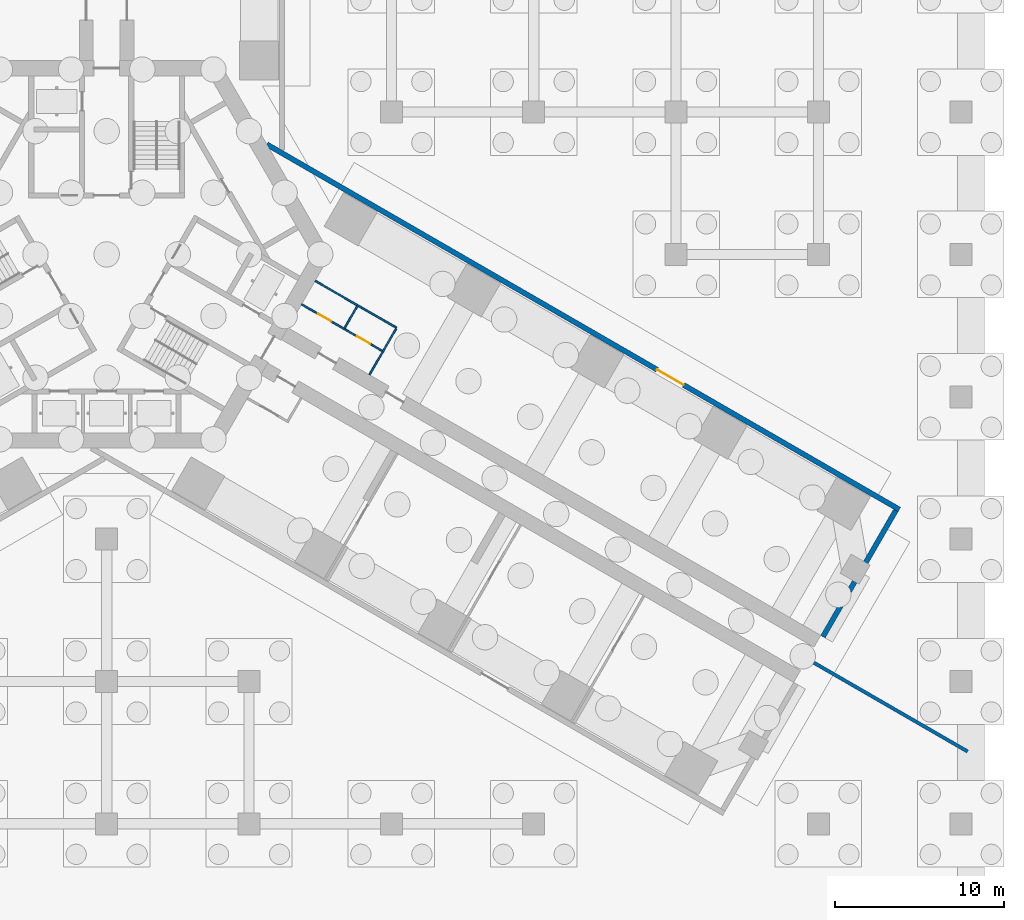
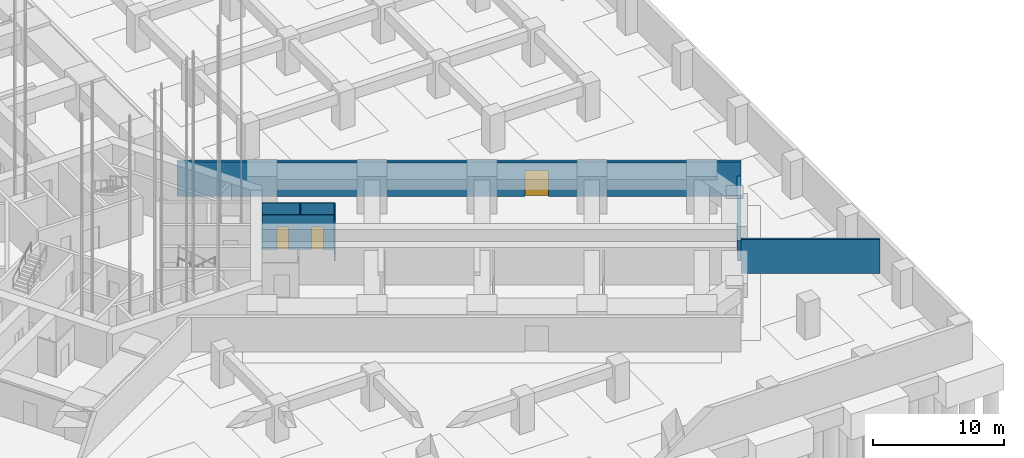
# One storey, part 57 of 73: 7 walls, 3 doors, 3 openings.
"""IFC4 building model written with IfcOpenShell, lengths in metres."""

from ifc_helpers import new_model, si_unit, direction, frame, frame_2d, origin, place, context, subcontext, project, spatial, rectangle, extrude, material, layer, layer_set, type_object, element, fill, save


model = new_model("IFC4")

# Units and contexts
model_context = context("Model", 3, precision=1e-05, world=origin(), true_north=direction((0.0, 1.0)))
body_context = subcontext(model_context, "Body", "Model", "MODEL_VIEW")
ifc_project = project(units=[si_unit("LENGTHUNIT", "METRE"), si_unit("AREAUNIT", "SQUARE_METRE"), si_unit("VOLUMEUNIT", "CUBIC_METRE"), si_unit("PLANEANGLEUNIT", "RADIAN"), si_unit("MASSUNIT", "GRAM", prefix="KILO")], contexts=[model_context])

# Site, building, storey
site_placement = place(None, origin())
site = spatial("IfcSite", under=ifc_project, at=site_placement, CompositionType="ELEMENT")
building_placement = place(site_placement, origin())
building = spatial("IfcBuilding", under=site, at=building_placement, Name="Impinga Residences", CompositionType="ELEMENT")
storey_placement = place(building_placement, frame((0.0, 0.0, -10.5)))
storey = spatial("IfcBuildingStorey", under=building, at=storey_placement, Name="B3", CompositionType="ELEMENT", Elevation=-10.5)

# Wall, openings, doors
ifc_material_1 = material(Name="Gypsum board on steel studs", Category="steel")
ifc_layer_1 = layer(ifc_material_1, 0.10009765625)
ifc_layer_set_1 = layer_set([ifc_layer_1], Name="Gypsum board on steel studs")
wall_type_1 = type_object("IfcWallType", Name="IP1 partition 100", PredefinedType="PARTITIONING", material=ifc_layer_set_1)
wall_1_placement = place(storey_placement, frame((11.5, -2.944580078125, 0.0), z_axis=(0.0, 0.0, 1.0), x_axis=(0.866045472092, -0.499965239061, 0.0)))
wall_1 = element("IfcWall", 1, at=wall_1_placement, inside=storey, type_object=wall_type_1, Name="Partition B3-EA1:L1", PredefinedType="PARTITIONING", context=body_context, shape_type="SweptSolid", body=[
    extrude(rectangle(XDim=5.60009765625, YDim=0.10009765625, at=frame_2d((2.800048828125, 0.0))), origin(), (0.0, 0.0, 1.0), 3.199951171875),
])
opening_1_placement = place(wall_1_placement, frame((1.125, 0.0, 0.0)))
opening_1 = element("IfcOpeningElement", 2, at=opening_1_placement, cuts=wall_1, Name="Opening D2", PredefinedType="OPENING", context=body_context, shape_type="SweptSolid", body=[
    extrude(rectangle(XDim=0.89990234375, YDim=2.10009765625, at=frame_2d((0.449951171875, 1.050048828125))), frame((0.0, 0.06005859375, 0.0), z_axis=(0.0, -1.0, 0.0), x_axis=(1.0, 0.0, 0.0)), (0.0, 0.0, 1.0), 0.1201171875),
])
opening_2_placement = place(wall_1_placement, frame((3.77490234375, 0.0, 0.0)))
opening_2 = element("IfcOpeningElement", 3, at=opening_2_placement, cuts=wall_1, Name="Opening D2", PredefinedType="OPENING", context=body_context, shape_type="SweptSolid", body=[
    extrude(rectangle(XDim=0.89990234375, YDim=2.10009765625, at=frame_2d((0.449951171875, 1.050048828125))), frame((0.0, 0.06005859375, 0.0), z_axis=(0.0, -1.0, 0.0), x_axis=(1.0, 0.0, 0.0)), (0.0, 0.0, 1.0), 0.1201171875),
])
ifc_material_2 = material(Name="Timber door set", Category="wood")
door_type_1 = type_object("IfcDoorType", Name="D2 internal door 900x2100", OperationType="SINGLE_SWING_LEFT", PredefinedType="DOOR", material=ifc_material_2)
door_1_placement = place(opening_1_placement, origin())
door_1 = element("IfcDoor", 4, at=door_1_placement, inside=storey, type_object=door_type_1, Name="WC door B3-EA1", OperationType="SINGLE_SWING_LEFT", OverallHeight=2.10009765625, OverallWidth=0.89990234375, PredefinedType="DOOR", context=body_context, shape_type="SweptSolid", body=[
    extrude(rectangle(XDim=0.89990234375, YDim=2.10009765625, at=frame_2d((0.449951171875, 1.050048828125))), frame((0.0, 0.02490234375, 0.0), z_axis=(0.0, -1.0, 0.0), x_axis=(1.0, 0.0, 0.0)), (0.0, 0.0, 1.0), 0.050048828125),
])
fill(opening_1, door_1)
door_2_placement = place(opening_2_placement, origin())
door_2 = element("IfcDoor", 5, at=door_2_placement, inside=storey, type_object=door_type_1, Name="Accessible WC door B3-EA1", OperationType="SINGLE_SWING_RIGHT", OverallHeight=2.10009765625, OverallWidth=0.89990234375, PredefinedType="DOOR", context=body_context, shape_type="SweptSolid", body=[
    extrude(rectangle(XDim=0.89990234375, YDim=2.10009765625, at=frame_2d((0.449951171875, 1.050048828125))), frame((0.0, 0.02490234375, 0.0), z_axis=(0.0, -1.0, 0.0), x_axis=(1.0, 0.0, 0.0)), (0.0, 0.0, 1.0), 0.050048828125),
])
fill(opening_2, door_2)

# Walls
wall_2_placement = place(storey_placement, frame((14.036376953125, -4.35107421875, 0.0), z_axis=(0.0, 0.0, 1.0), x_axis=(0.500060622324, 0.86599040064, 0.0)))
element("IfcWall", 6, at=wall_2_placement, inside=storey, type_object=wall_type_1, Name="Partition B3-EA1:T1", PredefinedType="PARTITIONING", context=body_context, shape_type="SweptSolid", body=[
    extrude(rectangle(XDim=1.499755859375, YDim=0.10009765625, at=frame_2d((0.75, 0.0))), origin(), (0.0, 0.0, 1.0), 3.199951171875),
])
wall_3_placement = place(storey_placement, frame((12.300048828125, -1.558837890625, 0.0), z_axis=(0.0, 0.0, 1.0), x_axis=(0.866031018186, -0.499990275446, 0.0)))
element("IfcWall", 7, at=wall_3_placement, inside=storey, type_object=wall_type_1, Name="Partition B3-EA1:T2", PredefinedType="PARTITIONING", context=body_context, shape_type="SweptSolid", body=[
    extrude(rectangle(XDim=5.5498046875, YDim=0.10009765625, at=frame_2d((2.77490234375, 0.0))), origin(), (0.0, 0.0, 1.0), 3.199951171875),
])
wall_4_placement = place(storey_placement, frame((15.50634765625, -7.105224609375, 0.0), z_axis=(0.0, 0.0, 1.0), x_axis=(0.500039995618, 0.866002311072, 0.0)))
element("IfcWall", 8, at=wall_4_placement, inside=storey, type_object=wall_type_1, Name="Partition B3-EA1:T3", PredefinedType="PARTITIONING", context=body_context, shape_type="SweptSolid", body=[
    extrude(rectangle(XDim=3.150146484375, YDim=0.10009765625, at=frame_2d((1.5751953125, 0.0))), origin(), (0.0, 0.0, 1.0), 3.199951171875),
])
ifc_material_3 = material(Name="Concrete blockwork", Category="masonry")
ifc_layer_2 = layer(ifc_material_3, 0.199951171875)
ifc_layer_set_2 = layer_set([ifc_layer_2], Name="PW2 podium compartment wall 200")
wall_type_2 = type_object("IfcWallType", Name="PW2 podium compartment wall 200", PredefinedType="SOLIDWALL", material=ifc_layer_set_2)
wall_5_placement = place(storey_placement, frame((41.596435546875, -24.015869140625, 0.0), z_axis=(0.0, 0.0, 1.0), x_axis=(0.866034858292, -0.499983623955, 0.0)))
element("IfcWall", 9, at=wall_5_placement, inside=storey, type_object=wall_type_2, Name="Podium compartment wall B3:REG:E", PredefinedType="SOLIDWALL", context=body_context, shape_type="SweptSolid", body=[
    extrude(rectangle(XDim=10.627197265625, YDim=0.199951171875, at=frame_2d((5.3134765625, 0.0))), origin(), (0.0, 0.0, 1.0), 3.199951171875),
])
ifc_layer_3 = layer(ifc_material_3, 0.300048828125)
ifc_layer_set_3 = layer_set([ifc_layer_3], Name="PW3 podium wall on the wing face 300")
wall_type_3 = type_object("IfcWallType", Name="PW3 podium wall on the wing face 300", PredefinedType="SOLIDWALL", material=ifc_layer_set_3)
wall_6_placement = place(storey_placement, frame((42.2666015625, -22.55517578125, 0.0), z_axis=(0.0, 0.0, 1.0), x_axis=(0.500007509209, 0.866021068297, 0.0)))
element("IfcWall", 10, at=wall_6_placement, inside=storey, type_object=wall_type_3, Name="Podium wall on the wing face B3:END:EA", PredefinedType="SOLIDWALL", context=body_context, shape_type="SweptSolid", body=[
    extrude(rectangle(XDim=8.599853515625, YDim=0.300048828125, at=frame_2d((4.2998046875, 0.0))), origin(), (0.0, 0.0, 1.0), 1.89990234375),
])

# Wall, opening, door
wall_7_placement = place(storey_placement, frame((9.449951171875, 6.4951171875, 0.0), z_axis=(0.0, 0.0, 1.0), x_axis=(0.866025301493, -0.500000177174, 0.0)))
wall_7 = element("IfcWall", 11, at=wall_7_placement, inside=storey, type_object=wall_type_3, Name="Podium wall on the wing face B3:SIDE:EA0", PredefinedType="SOLIDWALL", context=body_context, shape_type="SweptSolid", body=[
    extrude(rectangle(XDim=43.09521484375, YDim=0.300048828125, at=frame_2d((21.547607421875, 0.0))), origin(), (0.0, 0.0, 1.0), 3.199951171875),
])
opening_3_placement = place(wall_7_placement, frame((26.59521484375, 0.0, 0.0)))
opening_3 = element("IfcOpeningElement", 12, at=opening_3_placement, cuts=wall_7, Name="Opening D7", PredefinedType="OPENING", context=body_context, shape_type="SweptSolid", body=[
    extrude(rectangle(XDim=1.800048828125, YDim=2.39990234375, at=frame_2d((0.89990234375, 1.199951171875))), frame((0.0, 0.159912109375, 0.0), z_axis=(0.0, -1.0, 0.0), x_axis=(1.0, 0.0, 0.0)), (0.0, 0.0, 1.0), 0.320068359375),
])
door_type_2 = type_object("IfcDoorType", Name="D7 podium door pair 1800x2400", OperationType="DOUBLE_DOOR_DOUBLE_SWING", PredefinedType="DOOR", material=ifc_material_2)
door_3_placement = place(opening_3_placement, origin())
door_3 = element("IfcDoor", 13, at=door_3_placement, inside=storey, type_object=door_type_2, Name="Double door EA", OperationType="DOUBLE_DOOR_DOUBLE_SWING", OverallHeight=2.39990234375, OverallWidth=1.800048828125, PredefinedType="DOOR", context=body_context, shape_type="SweptSolid", body=[
    extrude(rectangle(XDim=1.800048828125, YDim=2.39990234375, at=frame_2d((0.89990234375, 1.199951171875))), frame((0.0, 0.02490234375, 0.0), z_axis=(0.0, -1.0, 0.0), x_axis=(1.0, 0.0, 0.0)), (0.0, 0.0, 1.0), 0.050048828125),
])
fill(opening_3, door_3)

save(model, "model.ifc")
